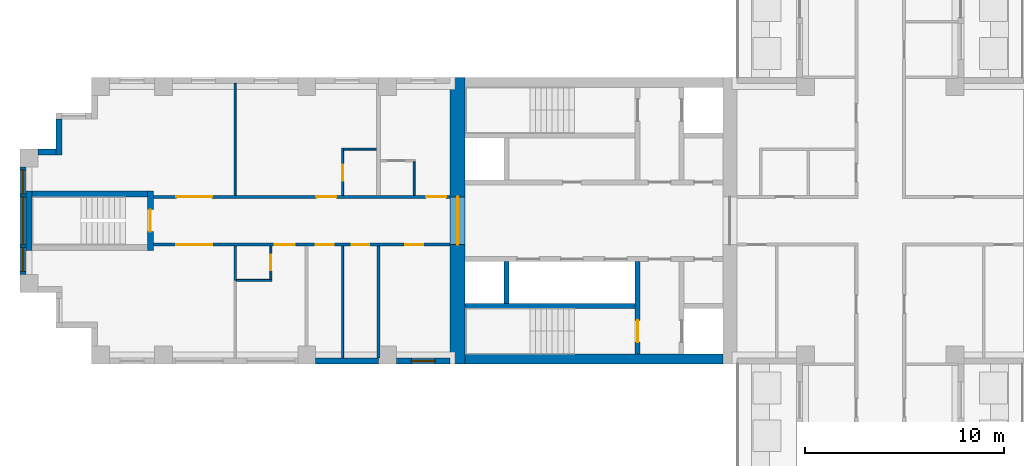
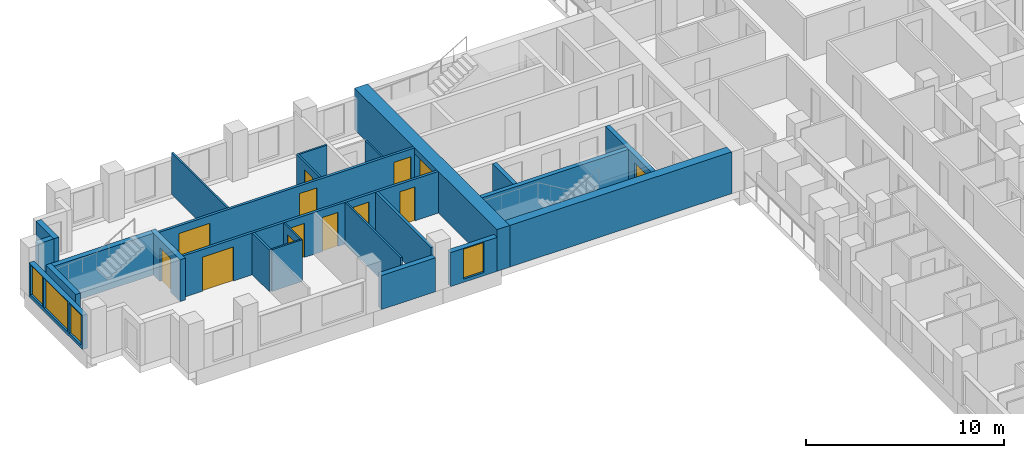
# One storey, part 6 of 14: 24 walls, 13 doors, 4 windows, 17 openings.
"""IFC4 building model written with IfcOpenShell, lengths in metres."""

import ifcopenshell
import ifcopenshell.guid

model = None  # the IFC model being written
_history = None  # IfcOwnerHistory: only IFC2X3 demands one
_inside = {}  # id of a spatial element -> (the spatial element, [elements in it])
_under = {}  # id of a project, library or spatial element -> (it, [spatial elements below it])
_declared = {}  # id of a project -> (the project, [libraries it declares])
_typed = {}  # id of a type object -> (the type object, [elements of that type])
_made_of = {}  # id of a material, layer set ... -> (it, [elements and type objects made of it])


def new_model(schema):
    """Start an empty IFC model of exactly this schema.

    Asked for "IFC4X3", IfcOpenShell would pick the latest addendum, in which some entities
    have other attributes; the version numbers below select the first issue.
    IFC2X3 requires an IfcOwnerHistory on every rooted entity: one is made here for all.
    """
    global model, _history
    if schema == "IFC4X3":
        model = ifcopenshell.file(schema_version=(4, 3, 0, 0))
    else:
        model = ifcopenshell.file(schema=schema)
    _inside.clear()
    _under.clear()
    _declared.clear()
    _typed.clear()
    _made_of.clear()
    _history = None
    if model.schema == "IFC2X3":
        org = make("IfcOrganization", Name="unknown")
        user = make(
            "IfcPersonAndOrganization",
            ThePerson=make("IfcPerson", FamilyName="unknown"),
            TheOrganization=org,
        )
        app = make(
            "IfcApplication",
            ApplicationDeveloper=org,
            Version="unknown",
            ApplicationFullName="unknown",
            ApplicationIdentifier="unknown",
        )
        _history = make(
            "IfcOwnerHistory",
            OwningUser=user,
            OwningApplication=app,
            ChangeAction="ADDED",
            CreationDate=0,
        )
    return model


def make(cls, **values):
    """One entity of the class cls with the attributes given. An attribute that is None is left unset."""
    return model.create_entity(
        cls, **{name: value for name, value in values.items() if value is not None}
    )


def rooted(cls, **values):
    """An entity with a GlobalId (a new one), such as an element, a storey or a relation."""
    return make(cls, GlobalId=ifcopenshell.guid.new(), OwnerHistory=_history, **values)


def si_unit(unit_type, name, prefix=None):
    """IfcSIUnit, for example si_unit("LENGTHUNIT", "METRE", prefix="MILLI")."""
    return make("IfcSIUnit", UnitType=unit_type, Prefix=prefix, Name=name)


def assignment(units):
    """IfcUnitAssignment: the units of a project."""
    return None if units is None else make("IfcUnitAssignment", Units=units)


def point(xyz):
    """IfcCartesianPoint."""
    return None if xyz is None else make("IfcCartesianPoint", Coordinates=xyz)


def direction(xyz):
    """IfcDirection."""
    return None if xyz is None else make("IfcDirection", DirectionRatios=xyz)


def frame(location, z_axis=None, x_axis=None):
    """IfcAxis2Placement3D, a coordinate frame: its origin and axes. An axis left out is left unset."""
    return make(
        "IfcAxis2Placement3D",
        Location=point(location),
        Axis=direction(z_axis),
        RefDirection=direction(x_axis),
    )


def frame_2d(location, x_axis=None):
    """IfcAxis2Placement2D, a coordinate frame in the plane: its origin and x axis."""
    return make(
        "IfcAxis2Placement2D", Location=point(location), RefDirection=direction(x_axis)
    )


def origin():
    """The frame at (0, 0, 0) with its axes left unset."""
    return frame((0.0, 0.0, 0.0))


def place(relative_to, where):
    """IfcLocalPlacement: puts the frame where relative to a parent placement (None: the world)."""
    return make(
        "IfcLocalPlacement", PlacementRelTo=relative_to, RelativePlacement=where
    )


def context(
    kind, dimensions, precision=None, world=None, true_north=None, identifier=None
):
    """IfcGeometricRepresentationContext, for example the 3D "Model" context."""
    return make(
        "IfcGeometricRepresentationContext",
        ContextIdentifier=identifier,
        ContextType=kind,
        CoordinateSpaceDimension=dimensions,
        Precision=precision,
        WorldCoordinateSystem=world,
        TrueNorth=true_north,
    )


def subcontext(parent, identifier, kind, view, scale=None):
    """IfcGeometricRepresentationSubContext, for example "Body" below "Model"."""
    return make(
        "IfcGeometricRepresentationSubContext",
        ContextIdentifier=identifier,
        ContextType=kind,
        ParentContext=parent,
        TargetScale=scale,
        TargetView=view,
    )


def project(units=None, contexts=None):
    """IfcProject with its units and contexts."""
    return rooted(
        "IfcProject",
        Name="project",
        RepresentationContexts=contexts,
        UnitsInContext=assignment(units),
    )


def spatial(cls, under=None, at=None, **own):
    """A site, building, storey or space (cls), placed at a placement, below another one or the project."""
    s = rooted(cls, ObjectPlacement=at, **own)
    if under is not None:
        _under.setdefault(under.id(), (under, []))[1].append(s)
    return s


def profile(cls, at=None, kind="AREA", **sizes):
    """A parametric profile (cls). Its sizes go by their IFC names, for example OverallWidth=200.0."""
    return make(cls, ProfileType=kind, Position=at, **sizes)


def rectangle(**sizes):
    """IfcRectangleProfileDef."""
    return profile("IfcRectangleProfileDef", **sizes)


def extrude(swept, where, along, depth):
    """IfcExtrudedAreaSolid: the profile swept, set in the frame where, extruded along a direction by depth."""
    return make(
        "IfcExtrudedAreaSolid",
        SweptArea=swept,
        Position=where,
        ExtrudedDirection=direction(along),
        Depth=depth,
    )


def shape(context_of_items, identifier, shape_type, items):
    """IfcShapeRepresentation: the items that make up one representation, for example the "Body"."""
    return make(
        "IfcShapeRepresentation",
        ContextOfItems=context_of_items,
        RepresentationIdentifier=identifier,
        RepresentationType=shape_type,
        Items=items,
    )


def material(Name=None, Category=None):
    """IfcMaterial."""
    return make("IfcMaterial", Name=Name, Category=Category)


def layer(
    of_material, thickness, ventilated=None, Name=None, Category=None, Priority=None
):
    """IfcMaterialLayer: one layer of a wall or slab, of a material (None: an air gap)."""
    return make(
        "IfcMaterialLayer",
        Material=of_material,
        LayerThickness=thickness,
        IsVentilated=ventilated,
        Name=Name,
        Category=Category,
        Priority=Priority,
    )


def layer_set(layers, Name=None):
    """IfcMaterialLayerSet."""
    return make("IfcMaterialLayerSet", MaterialLayers=layers, LayerSetName=Name)


def made_of(thing, what):
    """Note that an element or type object is made of a material, layer set ...; save() writes the relation."""
    if what is not None:
        _made_of.setdefault(what.id(), (what, []))[1].append(thing)
    return thing


def type_object(cls, material=None, **own):
    """A type object (cls), such as IfcWallType, which elements share."""
    return made_of(rooted(cls, **own), material)


def element(
    cls,
    number,
    at=None,
    inside=None,
    cuts=None,
    type_object=None,
    material=None,
    context=None,
    identifier="Body",
    shape_type=None,
    held_by="IfcProductDefinitionShape",
    body=None,
    shapes=None,
    **own,
):
    """One element of the class cls, such as IfcWall. Its Tag is "e" and its number.

    at: its placement. inside: the storey or other place that contains it. cuts: it is an
    opening in that element (IfcRelVoidsElement). A single representation is given by context,
    identifier, shape_type and body (its items); several are given by shapes. held_by: the class
    of the entity that holds the representations. save() writes the other relations.
    """
    e = rooted(cls, Tag="e%d" % number, ObjectPlacement=at, **own)
    if body is not None:
        shapes = [shape(context, identifier, shape_type, body)]
    if shapes is not None:
        e.Representation = make(held_by, Representations=shapes)
    if inside is not None:
        _inside.setdefault(inside.id(), (inside, []))[1].append(e)
    if cuts is not None:
        rooted(
            "IfcRelVoidsElement", RelatingBuildingElement=cuts, RelatedOpeningElement=e
        )
    if type_object is not None:
        _typed.setdefault(type_object.id(), (type_object, []))[1].append(e)
    return made_of(e, material)


def fill(opening, filler):
    """IfcRelFillsElement: the door or window that sits in an opening."""
    return rooted(
        "IfcRelFillsElement",
        RelatingOpeningElement=opening,
        RelatedBuildingElement=filler,
    )


def aggregate(whole, parts):
    """IfcRelAggregates: a whole, such as a stair, and the parts it consists of."""
    return rooted("IfcRelAggregates", RelatingObject=whole, RelatedObjects=parts)


def save(model, path):
    """Write the relations noted so far, then the file.

    IfcRelAggregates (storeys below a building ...), IfcRelContainedInSpatialStructure (elements
    in a storey), IfcRelDefinesByType, IfcRelAssociatesMaterial and IfcRelDeclares: one each for
    every whole, place, type object, material and project.
    """
    for whole, parts in _under.values():
        aggregate(whole, parts)
    for where, things in _inside.values():
        rooted(
            "IfcRelContainedInSpatialStructure",
            RelatedElements=things,
            RelatingStructure=where,
        )
    for kind, things in _typed.values():
        rooted("IfcRelDefinesByType", RelatedObjects=things, RelatingType=kind)
    for what, things in _made_of.values():
        rooted("IfcRelAssociatesMaterial", RelatedObjects=things, RelatingMaterial=what)
    for by, libraries in _declared.values():
        rooted("IfcRelDeclares", RelatingContext=by, RelatedDefinitions=libraries)
    model.write(path)


model = new_model("IFC4")

# Units and contexts
model_context = context("Model", 3, precision=1e-05, world=origin(), true_north=direction((0.0, 1.0)))
body_context = subcontext(model_context, "Body", "Model", "MODEL_VIEW")
ifc_project = project(units=[si_unit("LENGTHUNIT", "METRE"), si_unit("AREAUNIT", "SQUARE_METRE"), si_unit("VOLUMEUNIT", "CUBIC_METRE"), si_unit("PLANEANGLEUNIT", "RADIAN"), si_unit("MASSUNIT", "GRAM", prefix="KILO")], contexts=[model_context])

# Site, building, storey
site_placement = place(None, origin())
site = spatial("IfcSite", under=ifc_project, at=site_placement, CompositionType="ELEMENT")
building_placement = place(site_placement, origin())
building = spatial("IfcBuilding", under=site, at=building_placement, Name="Fustian Cross Tower", CompositionType="ELEMENT")
storey_placement = place(building_placement, frame((0.0, 0.0, 72.89990234375)))
storey = spatial("IfcBuildingStorey", under=building, at=storey_placement, Name="L22", CompositionType="ELEMENT", Elevation=72.89990234375)

# Wall, openings, doors
ifc_material_1 = material(Name="Plasterboard on steel stud", Category="steel")
ifc_layer_1 = layer(ifc_material_1, 0.14990234375)
ifc_layer_set_1 = layer_set([ifc_layer_1], Name="Plasterboard on steel stud")
wall_type_1 = type_object("IfcWallType", Name="COMPARTMENT WALL 150 EI 60", PredefinedType="PARTITIONING", material=ifc_layer_set_1)
wall_1_placement = place(storey_placement, frame((-36.5, -1.199951171875, 0.0), z_axis=(0.0, 0.0, 1.0), x_axis=(1.0, 0.0, 0.0)))
wall_1 = element("IfcWall", 1, at=wall_1_placement, inside=storey, type_object=wall_type_1, Name="Partition 1", PredefinedType="PARTITIONING", context=body_context, shape_type="SweptSolid", body=[
    extrude(rectangle(XDim=14.89990234375, YDim=0.14990234375, at=frame_2d((7.449951171875, 0.0))), origin(), (0.0, 0.0, 1.0), 2.5751953125),
])
opening_1_placement = place(wall_1_placement, frame((12.64990234375, 0.0, 0.0)))
opening_1 = element("IfcOpeningElement", 2, at=opening_1_placement, cuts=wall_1, Name="Opening D11025", PredefinedType="OPENING", context=body_context, shape_type="SweptSolid", body=[
    extrude(rectangle(XDim=0.89990234375, YDim=2.10009765625, at=frame_2d((0.449951171875, 1.050048828125))), frame((0.0, 0.0849609375, 0.0), z_axis=(0.0, -1.0, 0.0), x_axis=(1.0, 0.0, 0.0)), (0.0, 0.0, 1.0), 0.169921875),
])
opening_2_placement = place(wall_1_placement, frame((9.949951171875, 0.0, 0.0)))
opening_2 = element("IfcOpeningElement", 3, at=opening_2_placement, cuts=wall_1, Name="Opening D11026", PredefinedType="OPENING", context=body_context, shape_type="SweptSolid", body=[
    extrude(rectangle(XDim=0.89990234375, YDim=2.10009765625, at=frame_2d((0.449951171875, 1.050048828125))), frame((0.0, 0.0849609375, 0.0), z_axis=(0.0, -1.0, 0.0), x_axis=(1.0, 0.0, 0.0)), (0.0, 0.0, 1.0), 0.169921875),
])
opening_3_placement = place(wall_1_placement, frame((8.14990234375, 0.0, 0.0)))
opening_3 = element("IfcOpeningElement", 4, at=opening_3_placement, cuts=wall_1, Name="Opening D11027", PredefinedType="OPENING", context=body_context, shape_type="SweptSolid", body=[
    extrude(rectangle(XDim=0.89990234375, YDim=2.10009765625, at=frame_2d((0.449951171875, 1.050048828125))), frame((0.0, 0.0849609375, 0.0), z_axis=(0.0, -1.0, 0.0), x_axis=(1.0, 0.0, 0.0)), (0.0, 0.0, 1.0), 0.169921875),
])
opening_4_placement = place(wall_1_placement, frame((6.10009765625, 0.0, 0.0)))
opening_4 = element("IfcOpeningElement", 5, at=opening_4_placement, cuts=wall_1, Name="Opening D11029", PredefinedType="OPENING", context=body_context, shape_type="SweptSolid", body=[
    extrude(rectangle(XDim=1.0, YDim=2.10009765625, at=frame_2d((0.5, 1.050048828125))), frame((0.0, 0.0849609375, 0.0), z_axis=(0.0, -1.0, 0.0), x_axis=(1.0, 0.0, 0.0)), (0.0, 0.0, 1.0), 0.169921875),
])
opening_5_placement = place(wall_1_placement, frame((1.14990234375, 0.0, 0.0)))
opening_5 = element("IfcOpeningElement", 6, at=opening_5_placement, cuts=wall_1, Name="Opening D11030", PredefinedType="OPENING", context=body_context, shape_type="SweptSolid", body=[
    extrude(rectangle(XDim=1.800048828125, YDim=2.10009765625, at=frame_2d((0.89990234375, 1.050048828125))), frame((0.0, 0.0849609375, 0.0), z_axis=(0.0, -1.0, 0.0), x_axis=(1.0, 0.0, 0.0)), (0.0, 0.0, 1.0), 0.169921875),
])
ifc_material_2 = material(Name="Timber fire door set", Category="wood")
door_type_1 = type_object("IfcDoorType", Name="FIRE DOUBLE DOOR 1800 FD30S", OperationType="DOUBLE_DOOR_DOUBLE_SWING", PredefinedType="DOOR", material=ifc_material_2)
door_1_placement = place(opening_5_placement, origin())
door_1 = element("IfcDoor", 7, at=door_1_placement, inside=storey, type_object=door_type_1, Name="Door D11030", OperationType="DOUBLE_DOOR_DOUBLE_SWING", OverallHeight=2.10009765625, OverallWidth=1.800048828125, PredefinedType="DOOR", context=body_context, shape_type="SweptSolid", body=[
    extrude(rectangle(XDim=1.800048828125, YDim=2.10009765625, at=frame_2d((0.89990234375, 1.050048828125))), frame((0.0, 0.02490234375, 0.0), z_axis=(0.0, -1.0, 0.0), x_axis=(1.0, 0.0, 0.0)), (0.0, 0.0, 1.0), 0.050048828125),
])
fill(opening_5, door_1)
ifc_material_3 = material(Name="Timber fire door set", Category="wood")
door_type_2 = type_object("IfcDoorType", Name="FIRE SWING DOOR 1000 FD30S", OperationType="SINGLE_SWING_LEFT", PredefinedType="DOOR", material=ifc_material_3)
door_2_placement = place(opening_4_placement, frame((1.0, 0.0, 0.0), z_axis=(0.0, 0.0, 1.0), x_axis=(-1.0, 0.0, 0.0)))
door_2 = element("IfcDoor", 8, at=door_2_placement, inside=storey, type_object=door_type_2, Name="Door D11029", OperationType="SINGLE_SWING_RIGHT", OverallHeight=2.10009765625, OverallWidth=1.0, PredefinedType="DOOR", context=body_context, shape_type="SweptSolid", body=[
    extrude(rectangle(XDim=1.0, YDim=2.10009765625, at=frame_2d((0.5, 1.050048828125))), frame((0.0, 0.02490234375, 0.0), z_axis=(0.0, -1.0, 0.0), x_axis=(1.0, 0.0, 0.0)), (0.0, 0.0, 1.0), 0.050048828125),
])
fill(opening_4, door_2)
ifc_material_4 = material(Name="Timber fire door set", Category="wood")
door_type_3 = type_object("IfcDoorType", Name="FIRE SWING DOOR 900 FD30S", OperationType="SINGLE_SWING_LEFT", PredefinedType="DOOR", material=ifc_material_4)
door_3_placement = place(opening_1_placement, frame((0.89990234375, 0.0, 0.0), z_axis=(0.0, 0.0, 1.0), x_axis=(-1.0, 0.0, 0.0)))
door_3 = element("IfcDoor", 9, at=door_3_placement, inside=storey, type_object=door_type_3, Name="Door D11025", OperationType="SINGLE_SWING_RIGHT", OverallHeight=2.10009765625, OverallWidth=0.89990234375, PredefinedType="DOOR", context=body_context, shape_type="SweptSolid", body=[
    extrude(rectangle(XDim=0.89990234375, YDim=2.10009765625, at=frame_2d((0.449951171875, 1.050048828125))), frame((0.0, 0.02490234375, 0.0), z_axis=(0.0, -1.0, 0.0), x_axis=(1.0, 0.0, 0.0)), (0.0, 0.0, 1.0), 0.050048828125),
])
fill(opening_1, door_3)
door_4_placement = place(opening_2_placement, frame((0.89990234375, 0.0, 0.0), z_axis=(0.0, 0.0, 1.0), x_axis=(-1.0, 0.0, 0.0)))
door_4 = element("IfcDoor", 10, at=door_4_placement, inside=storey, type_object=door_type_3, Name="Door D11026", OperationType="SINGLE_SWING_LEFT", OverallHeight=2.10009765625, OverallWidth=0.89990234375, PredefinedType="DOOR", context=body_context, shape_type="SweptSolid", body=[
    extrude(rectangle(XDim=0.89990234375, YDim=2.10009765625, at=frame_2d((0.449951171875, 1.050048828125))), frame((0.0, 0.02490234375, 0.0), z_axis=(0.0, -1.0, 0.0), x_axis=(1.0, 0.0, 0.0)), (0.0, 0.0, 1.0), 0.050048828125),
])
fill(opening_2, door_4)
door_5_placement = place(opening_3_placement, frame((0.89990234375, 0.0, 0.0), z_axis=(0.0, 0.0, 1.0), x_axis=(-1.0, 0.0, 0.0)))
door_5 = element("IfcDoor", 11, at=door_5_placement, inside=storey, type_object=door_type_3, Name="Door D11027", OperationType="SINGLE_SWING_LEFT", OverallHeight=2.10009765625, OverallWidth=0.89990234375, PredefinedType="DOOR", context=body_context, shape_type="SweptSolid", body=[
    extrude(rectangle(XDim=0.89990234375, YDim=2.10009765625, at=frame_2d((0.449951171875, 1.050048828125))), frame((0.0, 0.02490234375, 0.0), z_axis=(0.0, -1.0, 0.0), x_axis=(1.0, 0.0, 0.0)), (0.0, 0.0, 1.0), 0.050048828125),
])
fill(opening_3, door_5)

wall_2_placement = place(storey_placement, frame((-36.5, 1.199951171875, 0.0), z_axis=(0.0, 0.0, 1.0), x_axis=(1.0, 0.0, 0.0)))
wall_2 = element("IfcWall", 12, at=wall_2_placement, inside=storey, type_object=wall_type_1, Name="Partition 2", PredefinedType="PARTITIONING", context=body_context, shape_type="SweptSolid", body=[
    extrude(rectangle(XDim=14.89990234375, YDim=0.14990234375, at=frame_2d((7.449951171875, 0.0))), origin(), (0.0, 0.0, 1.0), 2.5751953125),
])
opening_6_placement = place(wall_2_placement, frame((13.699951171875, 0.0, 0.0)))
opening_6 = element("IfcOpeningElement", 13, at=opening_6_placement, cuts=wall_2, Name="Opening D11032", PredefinedType="OPENING", context=body_context, shape_type="SweptSolid", body=[
    extrude(rectangle(XDim=1.0, YDim=2.10009765625, at=frame_2d((0.5, 1.050048828125))), frame((0.0, 0.0849609375, 0.0), z_axis=(0.0, -1.0, 0.0), x_axis=(1.0, 0.0, 0.0)), (0.0, 0.0, 1.0), 0.169921875),
])
opening_7_placement = place(wall_2_placement, frame((8.18994140625, 0.0, 0.0)))
opening_7 = element("IfcOpeningElement", 14, at=opening_7_placement, cuts=wall_2, Name="Opening D11034", PredefinedType="OPENING", context=body_context, shape_type="SweptSolid", body=[
    extrude(rectangle(XDim=1.0, YDim=2.10009765625, at=frame_2d((0.5, 1.050048828125))), frame((0.0, 0.0849609375, 0.0), z_axis=(0.0, -1.0, 0.0), x_axis=(1.0, 0.0, 0.0)), (0.0, 0.0, 1.0), 0.169921875),
])
opening_8_placement = place(wall_2_placement, frame((1.14990234375, 0.0, 0.0)))
opening_8 = element("IfcOpeningElement", 15, at=opening_8_placement, cuts=wall_2, Name="Opening D11035", PredefinedType="OPENING", context=body_context, shape_type="SweptSolid", body=[
    extrude(rectangle(XDim=1.800048828125, YDim=2.10009765625, at=frame_2d((0.89990234375, 1.050048828125))), frame((0.0, 0.0849609375, 0.0), z_axis=(0.0, -1.0, 0.0), x_axis=(1.0, 0.0, 0.0)), (0.0, 0.0, 1.0), 0.169921875),
])
door_6_placement = place(opening_8_placement, frame((1.800048828125, 0.0, 0.0), z_axis=(0.0, 0.0, 1.0), x_axis=(-1.0, 0.0, 0.0)))
door_6 = element("IfcDoor", 16, at=door_6_placement, inside=storey, type_object=door_type_1, Name="Door D11035", OperationType="DOUBLE_DOOR_DOUBLE_SWING", OverallHeight=2.10009765625, OverallWidth=1.800048828125, PredefinedType="DOOR", context=body_context, shape_type="SweptSolid", body=[
    extrude(rectangle(XDim=1.800048828125, YDim=2.10009765625, at=frame_2d((0.89990234375, 1.050048828125))), frame((0.0, 0.02490234375, 0.0), z_axis=(0.0, -1.0, 0.0), x_axis=(1.0, 0.0, 0.0)), (0.0, 0.0, 1.0), 0.050048828125),
])
fill(opening_8, door_6)
door_7_placement = place(opening_6_placement, origin())
door_7 = element("IfcDoor", 17, at=door_7_placement, inside=storey, type_object=door_type_2, Name="Door D11032", OperationType="SINGLE_SWING_RIGHT", OverallHeight=2.10009765625, OverallWidth=1.0, PredefinedType="DOOR", context=body_context, shape_type="SweptSolid", body=[
    extrude(rectangle(XDim=1.0, YDim=2.10009765625, at=frame_2d((0.5, 1.050048828125))), frame((0.0, 0.02490234375, 0.0), z_axis=(0.0, -1.0, 0.0), x_axis=(1.0, 0.0, 0.0)), (0.0, 0.0, 1.0), 0.050048828125),
])
fill(opening_6, door_7)
door_8_placement = place(opening_7_placement, origin())
door_8 = element("IfcDoor", 18, at=door_8_placement, inside=storey, type_object=door_type_2, Name="Door D11034", OperationType="SINGLE_SWING_RIGHT", OverallHeight=2.10009765625, OverallWidth=1.0, PredefinedType="DOOR", context=body_context, shape_type="SweptSolid", body=[
    extrude(rectangle(XDim=1.0, YDim=2.10009765625, at=frame_2d((0.5, 1.050048828125))), frame((0.0, 0.02490234375, 0.0), z_axis=(0.0, -1.0, 0.0), x_axis=(1.0, 0.0, 0.0)), (0.0, 0.0, 1.0), 0.050048828125),
])
fill(opening_7, door_8)

# Wall
wall_3_placement = place(storey_placement, frame((-25.199951171875, -6.89990234375, 0.0), z_axis=(0.0, 0.0, 1.0), x_axis=(0.0, 1.0, 0.0)))
element("IfcWall", 19, at=wall_3_placement, inside=storey, type_object=wall_type_1, Name="Partition 12", PredefinedType="PARTITIONING", context=body_context, shape_type="SweptSolid", body=[
    extrude(rectangle(XDim=5.625, YDim=0.14990234375, at=frame_2d((2.8125, 0.0))), origin(), (0.0, 0.0, 1.0), 2.5751953125),
])

# Wall, opening, door
ifc_material_5 = material(Name="Concrete C70/85", Category="concrete")
ifc_layer_2 = layer(ifc_material_5, 0.75)
ifc_layer_set_2 = layer_set([ifc_layer_2], Name="Concrete C70/85")
wall_type_2 = type_object("IfcWallType", Name="CORE END WALL 750 C70/85", PredefinedType="SHEAR", material=ifc_layer_set_2)
wall_4_placement = place(storey_placement, frame((-21.22509765625, -7.199951171875, 0.0), z_axis=(0.0, 0.0, 1.0), x_axis=(0.0, 1.0, 0.0)))
wall_4 = element("IfcWall", 20, at=wall_4_placement, inside=storey, type_object=wall_type_2, Name="Core end wall", PredefinedType="SHEAR", context=body_context, shape_type="SweptSolid", body=[
    extrude(rectangle(XDim=14.39990234375, YDim=0.75, at=frame_2d((7.199951171875, 0.0))), origin(), (0.0, 0.0, 1.0), 2.5751953125),
])
opening_9_placement = place(wall_4_placement, frame((6.0, 0.0, 0.0)))
opening_9 = element("IfcOpeningElement", 21, at=opening_9_placement, cuts=wall_4, Name="Opening CD-09-27", PredefinedType="OPENING", context=body_context, shape_type="SweptSolid", body=[
    extrude(rectangle(XDim=2.39990234375, YDim=2.199951171875, at=frame_2d((1.199951171875, 1.10009765625))), frame((0.0, 0.385009765625, 0.0), z_axis=(0.0, -1.0, 0.0), x_axis=(1.0, 0.0, 0.0)), (0.0, 0.0, 1.0), 0.77001953125),
])
ifc_material_6 = material(Name="Steel", Category="steel")
door_type_4 = type_object("IfcDoorType", Name="FIRE DOOR FD30S DOUBLE 2400X2200", OperationType="DOUBLE_DOOR_DOUBLE_SWING", PredefinedType="DOOR", material=ifc_material_6)
door_9_placement = place(opening_9_placement, frame((2.39990234375, 0.0, 0.0), z_axis=(0.0, 0.0, 1.0), x_axis=(-1.0, 0.0, 0.0)))
door_9 = element("IfcDoor", 22, at=door_9_placement, inside=storey, type_object=door_type_4, Name="Core door CD-09-27", OperationType="DOUBLE_DOOR_DOUBLE_SWING", OverallHeight=2.199951171875, OverallWidth=2.39990234375, PredefinedType="DOOR", context=body_context, shape_type="SweptSolid", body=[
    extrude(rectangle(XDim=2.39990234375, YDim=2.199951171875, at=frame_2d((1.199951171875, 1.10009765625))), frame((0.0, 0.02490234375, 0.0), z_axis=(0.0, -1.0, 0.0), x_axis=(1.0, 0.0, 0.0)), (0.0, 0.0, 1.0), 0.050048828125),
])
fill(opening_9, door_9)

# Walls
ifc_material_7 = material(Name="Concrete C70/85", Category="concrete")
ifc_layer_3 = layer(ifc_material_7, 0.5)
ifc_layer_set_3 = layer_set([ifc_layer_3], Name="Concrete C70/85")
wall_type_3 = type_object("IfcWallType", Name="CORE FACADE WALL 500 C70/85", PredefinedType="SHEAR", material=ifc_layer_set_3)
wall_5_placement = place(storey_placement, frame((-7.89990234375, -6.949951171875, 0.0), z_axis=(0.0, 0.0, 1.0), x_axis=(-1.0, 0.0, 0.0)))
element("IfcWall", 23, at=wall_5_placement, inside=storey, type_object=wall_type_3, Name="Core facade wall", PredefinedType="SHEAR", context=body_context, shape_type="SweptSolid", body=[
    extrude(rectangle(XDim=12.9501953125, YDim=0.5, at=frame_2d((6.47509765625, 0.0))), origin(), (0.0, 0.0, 1.0), 2.5751953125),
])
ifc_material_8 = material(Name="Concrete C50/60", Category="concrete")
ifc_layer_4 = layer(ifc_material_8, 0.25)
ifc_layer_set_4 = layer_set([ifc_layer_4], Name="Concrete C50/60")
wall_type_4 = type_object("IfcWallType", Name="CORE SHAFT WALL 250 C50/60", PredefinedType="SHEAR", material=ifc_layer_set_4)
wall_6_placement = place(storey_placement, frame((-12.300048828125, -4.27490234375, 0.0), z_axis=(0.0, 0.0, 1.0), x_axis=(-1.0, 0.0, 0.0)))
element("IfcWall", 24, at=wall_6_placement, inside=storey, type_object=wall_type_4, Name="Core shaft wall", PredefinedType="SHEAR", context=body_context, shape_type="SweptSolid", body=[
    extrude(rectangle(XDim=8.550048828125, YDim=0.25, at=frame_2d((4.27490234375, 0.0))), origin(), (0.0, 0.0, 1.0), 2.5751953125),
])

# Wall, opening, door
wall_7_placement = place(storey_placement, frame((-12.175048828125, -2.050048828125, 0.0), z_axis=(0.0, 0.0, 1.0), x_axis=(0.0, -1.0, 0.0)))
wall_7 = element("IfcWall", 25, at=wall_7_placement, inside=storey, type_object=wall_type_4, Name="Core shaft wall", PredefinedType="SHEAR", context=body_context, shape_type="SweptSolid", body=[
    extrude(rectangle(XDim=4.64990234375, YDim=0.25, at=frame_2d((2.324951171875, 0.0))), origin(), (0.0, 0.0, 1.0), 2.5751953125),
])
opening_10_placement = place(wall_7_placement, frame((2.949951171875, 0.0, 0.0)))
opening_10 = element("IfcOpeningElement", 26, at=opening_10_placement, cuts=wall_7, Name="Opening CD-09-21", PredefinedType="OPENING", context=body_context, shape_type="SweptSolid", body=[
    extrude(rectangle(XDim=1.10009765625, YDim=2.10009765625, at=frame_2d((0.550048828125, 1.050048828125))), frame((0.0, 0.135009765625, 0.0), z_axis=(0.0, -1.0, 0.0), x_axis=(1.0, 0.0, 0.0)), (0.0, 0.0, 1.0), 0.27001953125),
])
ifc_material_9 = material(Name="Steel", Category="steel")
door_type_5 = type_object("IfcDoorType", Name="FIRE DOOR FD60S 1100X2100", OperationType="SINGLE_SWING_LEFT", PredefinedType="DOOR", material=ifc_material_9)
door_10_placement = place(opening_10_placement, frame((1.10009765625, 0.0, 0.0), z_axis=(0.0, 0.0, 1.0), x_axis=(-1.0, 0.0, 0.0)))
door_10 = element("IfcDoor", 27, at=door_10_placement, inside=storey, type_object=door_type_5, Name="Core door CD-09-21", OperationType="SINGLE_SWING_RIGHT", OverallHeight=2.10009765625, OverallWidth=1.10009765625, PredefinedType="DOOR", context=body_context, shape_type="SweptSolid", body=[
    extrude(rectangle(XDim=1.10009765625, YDim=2.10009765625, at=frame_2d((0.550048828125, 1.050048828125))), frame((0.0, 0.02490234375, 0.0), z_axis=(0.0, -1.0, 0.0), x_axis=(1.0, 0.0, 0.0)), (0.0, 0.0, 1.0), 0.050048828125),
])
fill(opening_10, door_10)

# Walls
ifc_material_10 = material(Name="Plasterboard on steel stud", Category="steel")
ifc_layer_5 = layer(ifc_material_10, 0.10009765625)
ifc_layer_set_5 = layer_set([ifc_layer_5], Name="Plasterboard on steel stud")
wall_type_5 = type_object("IfcWallType", Name="PARTITION 100 STUD", PredefinedType="PARTITIONING", material=ifc_layer_set_5)
wall_8_placement = place(storey_placement, frame((-32.33740234375, -3.0, 0.0), z_axis=(0.0, 0.0, 1.0), x_axis=(1.0, 0.0, 0.0)))
element("IfcWall", 28, at=wall_8_placement, inside=storey, type_object=wall_type_5, Name="Partition 5", PredefinedType="PARTITIONING", context=body_context, shape_type="SweptSolid", body=[
    extrude(rectangle(XDim=1.787353515625, YDim=0.10009765625, at=frame_2d((0.8935546875, 0.0))), origin(), (0.0, 0.0, 1.0), 2.5751953125),
])
wall_9_placement = place(storey_placement, frame((-32.39990234375, 1.27490234375, 0.0), z_axis=(0.0, 0.0, 1.0), x_axis=(0.0, 1.0, 0.0)))
element("IfcWall", 29, at=wall_9_placement, inside=storey, type_object=wall_type_5, Name="Partition 6", PredefinedType="PARTITIONING", context=body_context, shape_type="SweptSolid", body=[
    extrude(rectangle(XDim=5.625, YDim=0.10009765625, at=frame_2d((2.8125, 0.0))), origin(), (0.0, 0.0, 1.0), 2.5751953125),
])

# Wall, opening, door
wall_10_placement = place(storey_placement, frame((-30.60009765625, -2.949951171875, 0.0), z_axis=(0.0, 0.0, 1.0), x_axis=(0.0, 1.0, 0.0)))
wall_10 = element("IfcWall", 30, at=wall_10_placement, inside=storey, type_object=wall_type_5, Name="Partition 7", PredefinedType="PARTITIONING", context=body_context, shape_type="SweptSolid", body=[
    extrude(rectangle(XDim=1.675048828125, YDim=0.10009765625, at=frame_2d((0.83740234375, 0.0))), origin(), (0.0, 0.0, 1.0), 2.5751953125),
])
opening_11_placement = place(wall_10_placement, frame((0.449951171875, 0.0, 0.0)))
opening_11 = element("IfcOpeningElement", 31, at=opening_11_placement, cuts=wall_10, Name="Opening D11028", PredefinedType="OPENING", context=body_context, shape_type="SweptSolid", body=[
    extrude(rectangle(XDim=0.800048828125, YDim=2.10009765625, at=frame_2d((0.39990234375, 1.050048828125))), frame((0.0, 0.06005859375, 0.0), z_axis=(0.0, -1.0, 0.0), x_axis=(1.0, 0.0, 0.0)), (0.0, 0.0, 1.0), 0.1201171875),
])
ifc_material_11 = material(Name="Painted timber", Category="wood")
door_type_6 = type_object("IfcDoorType", Name="SWING DOOR 800", OperationType="SINGLE_SWING_LEFT", PredefinedType="DOOR", material=ifc_material_11)
door_11_placement = place(opening_11_placement, origin())
door_11 = element("IfcDoor", 32, at=door_11_placement, inside=storey, type_object=door_type_6, Name="Door D11028", OperationType="SINGLE_SWING_RIGHT", OverallHeight=2.10009765625, OverallWidth=0.800048828125, PredefinedType="DOOR", context=body_context, shape_type="SweptSolid", body=[
    extrude(rectangle(XDim=0.800048828125, YDim=2.10009765625, at=frame_2d((0.39990234375, 1.050048828125))), frame((0.0, 0.02490234375, 0.0), z_axis=(0.0, -1.0, 0.0), x_axis=(1.0, 0.0, 0.0)), (0.0, 0.0, 1.0), 0.050048828125),
])
fill(opening_11, door_11)

# Wall
wall_11_placement = place(storey_placement, frame((-27.0, -6.89990234375, 0.0), z_axis=(0.0, 0.0, 1.0), x_axis=(0.0, 1.0, 0.0)))
element("IfcWall", 33, at=wall_11_placement, inside=storey, type_object=wall_type_5, Name="Partition 9", PredefinedType="PARTITIONING", context=body_context, shape_type="SweptSolid", body=[
    extrude(rectangle(XDim=5.625, YDim=0.10009765625, at=frame_2d((2.8125, 0.0))), origin(), (0.0, 0.0, 1.0), 2.5751953125),
])

# Wall, opening, door
wall_12_placement = place(storey_placement, frame((-27.0, 1.27490234375, 0.0), z_axis=(0.0, 0.0, 1.0), x_axis=(0.0, 1.0, 0.0)))
wall_12 = element("IfcWall", 34, at=wall_12_placement, inside=storey, type_object=wall_type_5, Name="Partition 10", PredefinedType="PARTITIONING", context=body_context, shape_type="SweptSolid", body=[
    extrude(rectangle(XDim=2.375, YDim=0.10009765625, at=frame_2d((1.1875, 0.0))), origin(), (0.0, 0.0, 1.0), 2.5751953125),
])
opening_12_placement = place(wall_12_placement, frame((0.72509765625, 0.0, 0.0)))
opening_12 = element("IfcOpeningElement", 35, at=opening_12_placement, cuts=wall_12, Name="Opening D11033", PredefinedType="OPENING", context=body_context, shape_type="SweptSolid", body=[
    extrude(rectangle(XDim=0.800048828125, YDim=2.10009765625, at=frame_2d((0.39990234375, 1.050048828125))), frame((0.0, 0.06005859375, 0.0), z_axis=(0.0, -1.0, 0.0), x_axis=(1.0, 0.0, 0.0)), (0.0, 0.0, 1.0), 0.1201171875),
])
door_12_placement = place(opening_12_placement, frame((0.800048828125, 0.0, 0.0), z_axis=(0.0, 0.0, 1.0), x_axis=(-1.0, 0.0, 0.0)))
door_12 = element("IfcDoor", 36, at=door_12_placement, inside=storey, type_object=door_type_6, Name="Door D11033", OperationType="SINGLE_SWING_RIGHT", OverallHeight=2.10009765625, OverallWidth=0.800048828125, PredefinedType="DOOR", context=body_context, shape_type="SweptSolid", body=[
    extrude(rectangle(XDim=0.800048828125, YDim=2.10009765625, at=frame_2d((0.39990234375, 1.050048828125))), frame((0.0, 0.02490234375, 0.0), z_axis=(0.0, -1.0, 0.0), x_axis=(1.0, 0.0, 0.0)), (0.0, 0.0, 1.0), 0.050048828125),
])
fill(opening_12, door_12)

# Walls
wall_13_placement = place(storey_placement, frame((-26.949951171875, 3.60009765625, 0.0), z_axis=(0.0, 0.0, 1.0), x_axis=(1.0, 0.0, 0.0)))
element("IfcWall", 37, at=wall_13_placement, inside=storey, type_object=wall_type_5, Name="Partition 11", PredefinedType="PARTITIONING", context=body_context, shape_type="SweptSolid", body=[
    extrude(rectangle(XDim=1.64990234375, YDim=0.10009765625, at=frame_2d((0.824951171875, 0.0))), origin(), (0.0, 0.0, 1.0), 2.5751953125),
])
wall_14_placement = place(storey_placement, frame((-23.39990234375, 1.27490234375, 0.0), z_axis=(0.0, 0.0, 1.0), x_axis=(0.0, 1.0, 0.0)))
element("IfcWall", 38, at=wall_14_placement, inside=storey, type_object=wall_type_5, Name="Partition 15", PredefinedType="PARTITIONING", context=body_context, shape_type="SweptSolid", body=[
    extrude(rectangle(XDim=1.675048828125, YDim=0.10009765625, at=frame_2d((0.83740234375, 0.0))), origin(), (0.0, 0.0, 1.0), 2.5751953125),
])
ifc_material_12 = material(Name="Concrete C40/50", Category="concrete")
ifc_layer_6 = layer(ifc_material_12, 0.25)
ifc_layer_set_6 = layer_set([ifc_layer_6], Name="Concrete C40/50")
wall_type_6 = type_object("IfcWallType", Name="SHAFT PARTITION WALL 250 C40/50", PredefinedType="PARTITIONING", material=ifc_layer_set_6)
wall_15_placement = place(storey_placement, frame((-18.77490234375, -2.050048828125, 0.0), z_axis=(0.0, 0.0, 1.0), x_axis=(0.0, -1.0, 0.0)))
element("IfcWall", 39, at=wall_15_placement, inside=storey, type_object=wall_type_6, Name="Core shaft wall", PredefinedType="PARTITIONING", context=body_context, shape_type="SweptSolid", body=[
    extrude(rectangle(XDim=2.099853515625, YDim=0.25, at=frame_2d((1.0498046875, 0.0))), origin(), (0.0, 0.0, 1.0), 2.5751953125),
])

# Wall, opening, door
ifc_material_13 = material(Name="Concrete C50/60", Category="concrete")
ifc_layer_7 = layer(ifc_material_13, 0.300048828125)
ifc_layer_set_7 = layer_set([ifc_layer_7], Name="Concrete C50/60")
wall_type_7 = type_object("IfcWallType", Name="STAIR ENCLOSURE WALL 300 C50/60", PredefinedType="SHEAR", material=ifc_layer_set_7)
wall_16_placement = place(storey_placement, frame((-36.64990234375, -1.5, 0.0), z_axis=(0.0, 0.0, 1.0), x_axis=(0.0, 1.0, 0.0)))
wall_16 = element("IfcWall", 40, at=wall_16_placement, inside=storey, type_object=wall_type_7, Name="Stair enclosure wall", PredefinedType="SHEAR", context=body_context, shape_type="SweptSolid", body=[
    extrude(rectangle(XDim=3.0, YDim=0.300048828125, at=frame_2d((1.5, 0.0))), origin(), (0.0, 0.0, 1.0), 2.5751953125),
])
opening_13_placement = place(wall_16_placement, frame((0.949951171875, 0.0, 0.0)))
opening_13 = element("IfcOpeningElement", 41, at=opening_13_placement, cuts=wall_16, Name="Opening CD-09-31", PredefinedType="OPENING", context=body_context, shape_type="SweptSolid", body=[
    extrude(rectangle(XDim=1.10009765625, YDim=2.10009765625, at=frame_2d((0.550048828125, 1.050048828125))), frame((0.0, 0.159912109375, 0.0), z_axis=(0.0, -1.0, 0.0), x_axis=(1.0, 0.0, 0.0)), (0.0, 0.0, 1.0), 0.320068359375),
])
door_13_placement = place(opening_13_placement, origin())
door_13 = element("IfcDoor", 42, at=door_13_placement, inside=storey, type_object=door_type_5, Name="Core door CD-09-31", OperationType="SINGLE_SWING_LEFT", OverallHeight=2.10009765625, OverallWidth=1.10009765625, PredefinedType="DOOR", context=body_context, shape_type="SweptSolid", body=[
    extrude(rectangle(XDim=1.10009765625, YDim=2.10009765625, at=frame_2d((0.550048828125, 1.050048828125))), frame((0.0, 0.02490234375, 0.0), z_axis=(0.0, -1.0, 0.0), x_axis=(1.0, 0.0, 0.0)), (0.0, 0.0, 1.0), 0.050048828125),
])
fill(opening_13, door_13)

# Walls
wall_17_placement = place(storey_placement, frame((-42.75, -1.5, 0.0), z_axis=(0.0, 0.0, 1.0), x_axis=(0.0, 1.0, 0.0)))
element("IfcWall", 43, at=wall_17_placement, inside=storey, type_object=wall_type_7, Name="Stair enclosure wall", PredefinedType="SHEAR", context=body_context, shape_type="SweptSolid", body=[
    extrude(rectangle(XDim=3.0, YDim=0.300048828125, at=frame_2d((1.5, 0.0))), origin(), (0.0, 0.0, 1.0), 2.5751953125),
])
wall_18_placement = place(storey_placement, frame((-36.800048828125, 1.35009765625, 0.0), z_axis=(0.0, 0.0, 1.0), x_axis=(-1.0, 0.0, 0.0)))
element("IfcWall", 44, at=wall_18_placement, inside=storey, type_object=wall_type_7, Name="Stair enclosure wall", PredefinedType="SHEAR", context=body_context, shape_type="SweptSolid", body=[
    extrude(rectangle(XDim=5.800048828125, YDim=0.300048828125, at=frame_2d((2.89990234375, 0.0))), origin(), (0.0, 0.0, 1.0), 2.5751953125),
])
ifc_material_14 = material(Name="Plasterboard on steel stud", Category="steel")
ifc_layer_8 = layer(ifc_material_14, 0.125)
ifc_layer_set_8 = layer_set([ifc_layer_8], Name="Plasterboard on steel stud")
wall_type_8 = type_object("IfcWallType", Name="WET WALL 125 STUD", PredefinedType="PARTITIONING", material=ifc_layer_set_8)
wall_19_placement = place(storey_placement, frame((-32.39990234375, -3.0, 0.0), z_axis=(0.0, 0.0, 1.0), x_axis=(0.0, 1.0, 0.0)))
element("IfcWall", 45, at=wall_19_placement, inside=storey, type_object=wall_type_8, Name="Partition 4", PredefinedType="PARTITIONING", context=body_context, shape_type="SweptSolid", body=[
    extrude(rectangle(XDim=1.72509765625, YDim=0.125, at=frame_2d((0.862548828125, 0.0))), origin(), (0.0, 0.0, 1.0), 2.5751953125),
])
ifc_material_15 = material(Name="Dark aluminium cladding on insulated backing wall", Category="aluminium")
ifc_layer_9 = layer(ifc_material_15, 0.300048828125)
ifc_layer_set_9 = layer_set([ifc_layer_9], Name="Dark aluminium cladding on insulated backing wall")
wall_type_9 = type_object("IfcWallType", Name="XW1 EXTERNAL WALL 300", PredefinedType="SOLIDWALL", material=ifc_layer_set_9)
wall_20_placement = place(storey_placement, frame((-41.25, 5.10009765625, 0.0), z_axis=(0.0, 0.0, 1.0), x_axis=(0.0, -1.0, 0.0)))
element("IfcWall", 46, at=wall_20_placement, inside=storey, type_object=wall_type_9, Name="External wall", PredefinedType="SOLIDWALL", context=body_context, shape_type="SweptSolid", body=[
    extrude(rectangle(XDim=1.800048828125, YDim=0.300048828125, at=frame_2d((0.89990234375, 0.0))), origin(), (0.0, 0.0, 1.0), 2.5751953125),
])
wall_21_placement = place(storey_placement, frame((-41.39990234375, 3.449951171875, 0.0), z_axis=(0.0, 0.0, 1.0), x_axis=(-1.0, 0.0, 0.0)))
element("IfcWall", 47, at=wall_21_placement, inside=storey, type_object=wall_type_9, Name="External wall", PredefinedType="SOLIDWALL", context=body_context, shape_type="SweptSolid", body=[
    extrude(rectangle(XDim=0.900146484375, YDim=0.300048828125, at=frame_2d((0.4501953125, 0.0))), origin(), (0.0, 0.0, 1.0), 2.5751953125),
])

# Wall, openings, windows
wall_22_placement = place(storey_placement, frame((-43.050048828125, 2.699951171875, 0.0), z_axis=(0.0, 0.0, 1.0), x_axis=(0.0, -1.0, 0.0)))
wall_22 = element("IfcWall", 48, at=wall_22_placement, inside=storey, type_object=wall_type_9, Name="External wall", PredefinedType="SOLIDWALL", context=body_context, shape_type="SweptSolid", body=[
    extrude(rectangle(XDim=5.39990234375, YDim=0.300048828125, at=frame_2d((2.699951171875, 0.0))), origin(), (0.0, 0.0, 1.0), 2.10009765625),
])
opening_14_placement = place(wall_22_placement, frame((1.5, 0.0, 0.199951171875)))
opening_14 = element("IfcOpeningElement", 49, at=opening_14_placement, cuts=wall_22, Name="Opening WN1", PredefinedType="OPENING", context=body_context, shape_type="SweptSolid", body=[
    extrude(rectangle(XDim=2.39990234375, YDim=1.85009765625, at=frame_2d((1.199951171875, 0.925048828125))), frame((0.0, 0.159912109375, 0.0), z_axis=(0.0, -1.0, 0.0), x_axis=(1.0, 0.0, 0.0)), (0.0, 0.0, 1.0), 0.320068359375),
])
opening_15_placement = place(wall_22_placement, frame((0.14990234375, 0.0, 0.199951171875)))
opening_15 = element("IfcOpeningElement", 50, at=opening_15_placement, cuts=wall_22, Name="Opening WN3", PredefinedType="OPENING", context=body_context, shape_type="SweptSolid", body=[
    extrude(rectangle(XDim=1.199951171875, YDim=1.85009765625, at=frame_2d((0.60009765625, 0.925048828125))), frame((0.0, 0.159912109375, 0.0), z_axis=(0.0, -1.0, 0.0), x_axis=(1.0, 0.0, 0.0)), (0.0, 0.0, 1.0), 0.320068359375),
])
opening_16_placement = place(wall_22_placement, frame((4.050048828125, 0.0, 0.199951171875)))
opening_16 = element("IfcOpeningElement", 51, at=opening_16_placement, cuts=wall_22, Name="Opening WN3", PredefinedType="OPENING", context=body_context, shape_type="SweptSolid", body=[
    extrude(rectangle(XDim=1.199951171875, YDim=1.85009765625, at=frame_2d((0.60009765625, 0.925048828125))), frame((0.0, 0.159912109375, 0.0), z_axis=(0.0, -1.0, 0.0), x_axis=(1.0, 0.0, 0.0)), (0.0, 0.0, 1.0), 0.320068359375),
])
ifc_material_16 = material(Name="Dark anodised aluminium and double glazing", Category="aluminium")
window_type_1 = type_object("IfcWindowType", Name="WN1 WINDOW 2400X1850", PartitioningType="SINGLE_PANEL", PredefinedType="WINDOW", material=ifc_material_16)
window_1_placement = place(opening_14_placement, origin())
window_1 = element("IfcWindow", 52, at=window_1_placement, inside=storey, type_object=window_type_1, Name="Window", OverallHeight=1.85009765625, OverallWidth=2.39990234375, PartitioningType="SINGLE_PANEL", PredefinedType="WINDOW", context=body_context, shape_type="SweptSolid", body=[
    extrude(rectangle(XDim=2.39990234375, YDim=1.85009765625, at=frame_2d((1.199951171875, 0.925048828125))), frame((0.0, 0.030029296875, 0.0), z_axis=(0.0, -1.0, 0.0), x_axis=(1.0, 0.0, 0.0)), (0.0, 0.0, 1.0), 0.06005859375),
])
fill(opening_14, window_1)
ifc_material_17 = material(Name="Dark anodised aluminium and double glazing", Category="aluminium")
window_type_2 = type_object("IfcWindowType", Name="WN3 WINDOW 1200X1850", PartitioningType="SINGLE_PANEL", PredefinedType="WINDOW", material=ifc_material_17)
window_2_placement = place(opening_15_placement, origin())
window_2 = element("IfcWindow", 53, at=window_2_placement, inside=storey, type_object=window_type_2, Name="Window", OverallHeight=1.85009765625, OverallWidth=1.199951171875, PartitioningType="SINGLE_PANEL", PredefinedType="WINDOW", context=body_context, shape_type="SweptSolid", body=[
    extrude(rectangle(XDim=1.199951171875, YDim=1.85009765625, at=frame_2d((0.60009765625, 0.925048828125))), frame((0.0, 0.030029296875, 0.0), z_axis=(0.0, -1.0, 0.0), x_axis=(1.0, 0.0, 0.0)), (0.0, 0.0, 1.0), 0.06005859375),
])
fill(opening_15, window_2)
window_3_placement = place(opening_16_placement, origin())
window_3 = element("IfcWindow", 54, at=window_3_placement, inside=storey, type_object=window_type_2, Name="Window", OverallHeight=1.85009765625, OverallWidth=1.199951171875, PartitioningType="SINGLE_PANEL", PredefinedType="WINDOW", context=body_context, shape_type="SweptSolid", body=[
    extrude(rectangle(XDim=1.199951171875, YDim=1.85009765625, at=frame_2d((0.60009765625, 0.925048828125))), frame((0.0, 0.030029296875, 0.0), z_axis=(0.0, -1.0, 0.0), x_axis=(1.0, 0.0, 0.0)), (0.0, 0.0, 1.0), 0.06005859375),
])
fill(opening_16, window_3)

# Wall
wall_23_placement = place(storey_placement, frame((-28.35009765625, -7.050048828125, 0.0), z_axis=(0.0, 0.0, 1.0), x_axis=(1.0, 0.0, 0.0)))
element("IfcWall", 55, at=wall_23_placement, inside=storey, type_object=wall_type_9, Name="External wall", PredefinedType="SOLIDWALL", context=body_context, shape_type="SweptSolid", body=[
    extrude(rectangle(XDim=3.150146484375, YDim=0.300048828125, at=frame_2d((1.5751953125, 0.0))), origin(), (0.0, 0.0, 1.0), 2.10009765625),
])

# Wall, opening, window
wall_24_placement = place(storey_placement, frame((-24.300048828125, -7.050048828125, 0.0), z_axis=(0.0, 0.0, 1.0), x_axis=(1.0, 0.0, 0.0)))
wall_24 = element("IfcWall", 56, at=wall_24_placement, inside=storey, type_object=wall_type_9, Name="External wall", PredefinedType="SOLIDWALL", context=body_context, shape_type="SweptSolid", body=[
    extrude(rectangle(XDim=2.699951171875, YDim=0.300048828125, at=frame_2d((1.35009765625, 0.0))), origin(), (0.0, 0.0, 1.0), 2.10009765625),
])
opening_17_placement = place(wall_24_placement, frame((0.75, 0.0, 0.199951171875)))
opening_17 = element("IfcOpeningElement", 57, at=opening_17_placement, cuts=wall_24, Name="Opening WN3", PredefinedType="OPENING", context=body_context, shape_type="SweptSolid", body=[
    extrude(rectangle(XDim=1.199951171875, YDim=1.85009765625, at=frame_2d((0.60009765625, 0.925048828125))), frame((0.0, 0.159912109375, 0.0), z_axis=(0.0, -1.0, 0.0), x_axis=(1.0, 0.0, 0.0)), (0.0, 0.0, 1.0), 0.320068359375),
])
window_4_placement = place(opening_17_placement, origin())
window_4 = element("IfcWindow", 58, at=window_4_placement, inside=storey, type_object=window_type_2, Name="Window", OverallHeight=1.85009765625, OverallWidth=1.199951171875, PartitioningType="SINGLE_PANEL", PredefinedType="WINDOW", context=body_context, shape_type="SweptSolid", body=[
    extrude(rectangle(XDim=1.199951171875, YDim=1.85009765625, at=frame_2d((0.60009765625, 0.925048828125))), frame((0.0, 0.030029296875, 0.0), z_axis=(0.0, -1.0, 0.0), x_axis=(1.0, 0.0, 0.0)), (0.0, 0.0, 1.0), 0.06005859375),
])
fill(opening_17, window_4)

save(model, "model.ifc")
